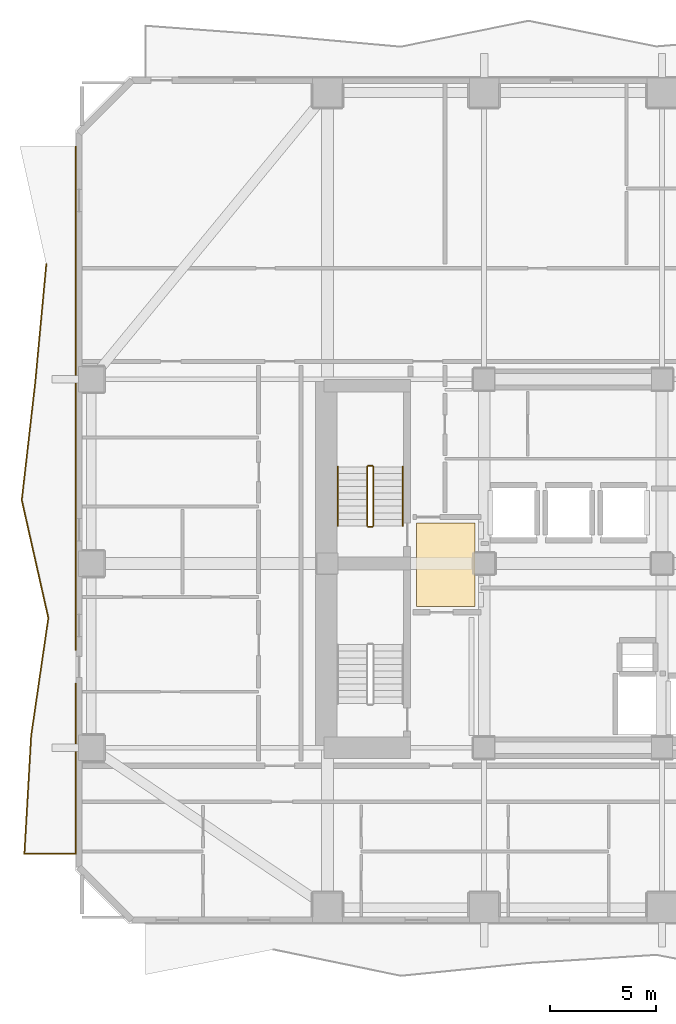
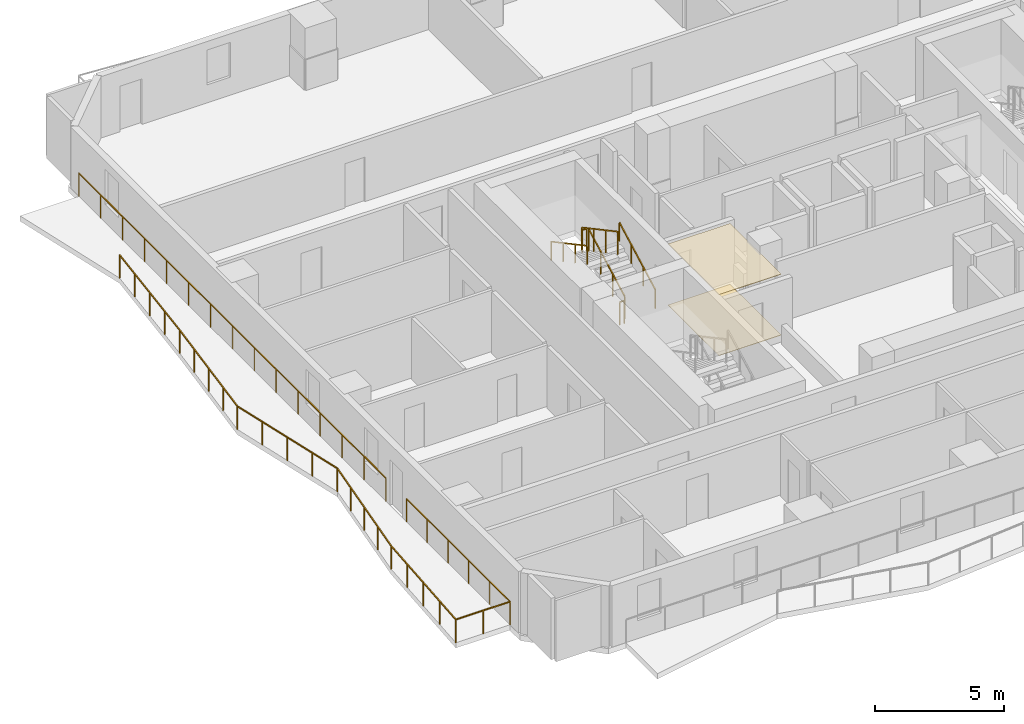
# One storey, part 8 of 10: 8 railings, 2 coverings.
"""IFC4 building model written with IfcOpenShell, lengths in metres."""

from ifc_helpers import new_model, si_unit, direction, frame, origin, origin_2d, place, context, subcontext, project, spatial, polyline, rectangle, outline, extrude, material, layer, layer_set, type_object, element, save


model = new_model("IFC4")

# Units and contexts
model_context = context("Model", 3, precision=1e-05, world=origin(), true_north=direction((0.0, 1.0)))
body_context = subcontext(model_context, "Body", "Model", "MODEL_VIEW")
ifc_project = project(units=[si_unit("LENGTHUNIT", "METRE"), si_unit("AREAUNIT", "SQUARE_METRE"), si_unit("VOLUMEUNIT", "CUBIC_METRE"), si_unit("PLANEANGLEUNIT", "RADIAN"), si_unit("MASSUNIT", "GRAM", prefix="KILO")], contexts=[model_context])

# Site, building, storey
site_placement = place(None, origin())
site = spatial("IfcSite", under=ifc_project, at=site_placement, CompositionType="ELEMENT")
building_placement = place(site_placement, origin())
building = spatial("IfcBuilding", under=site, at=building_placement, Name="Solanera Arch Residences", CompositionType="ELEMENT")
storey_placement = place(building_placement, frame((0.0, 0.0, 102.760009765625)))
storey = spatial("IfcBuildingStorey", under=building, at=storey_placement, Name="L29", CompositionType="ELEMENT", Elevation=102.760009765625)

# Railings
ifc_material_1 = material(Name="Steel S355 (ASTM A992 / A572 Grade 50)", Category="steel")
railing_type_1 = type_object("IfcRailingType", Name="Balustrade Railing BL-1100", PredefinedType="BALUSTRADE", material=ifc_material_1)
railing_1_placement = place(storey_placement, frame((0.117919921875, 44.8330078125, 0.0)))
element("IfcRailing", 1, at=railing_1_placement, inside=storey, type_object=railing_type_1, Name="L29 W Balcony Balustrade 1", PredefinedType="BALUSTRADE", context=body_context, shape_type="SweptSolid", body=[
    extrude(rectangle(XDim=0.048095703125, YDim=0.048095703125, at=origin_2d()), frame((0.0, 0.0, 1.09619140625), z_axis=(-0.093197302673, -0.995647659955, 0.0), x_axis=(0.995647659955, -0.093197302673, 0.0)), (0.0, 0.0, 1.0), 5.59033203125),
    extrude(rectangle(XDim=0.048095703125, YDim=0.048095703125, at=origin_2d()), frame((-0.52099609375, -5.56591796875, 1.09619140625), z_axis=(-0.113673156319, -0.9935181999, 0.0), x_axis=(0.9935181999, -0.113673156319, 0.0)), (0.0, 0.0, 1.0), 5.603515625),
    extrude(rectangle(XDim=0.048095703125, YDim=0.048095703125, at=origin_2d()), frame((-1.157958984375, -11.133056640625, 1.09619140625), z_axis=(0.220104614642, -0.975476272706, 0.0), x_axis=(0.975476272706, 0.220104614642, 0.0)), (0.0, 0.0, 1.0), 5.706787109375),
    extrude(rectangle(XDim=0.048095703125, YDim=0.048095703125, at=origin_2d()), frame((0.09814453125, -16.699951171875, 1.09619140625), z_axis=(-0.144525573408, -0.989501065503, 0.0), x_axis=(0.989501065503, -0.144525573408, 0.0)), (0.0, 0.0, 1.0), 5.625244140625),
    extrude(rectangle(XDim=0.048095703125, YDim=0.048095703125, at=origin_2d()), frame((-0.71484375, -22.26611328125, 1.09619140625), z_axis=(-0.057051037449, -0.998371263171, 0.0), x_axis=(0.998371263171, -0.057051037449, 0.0)), (0.0, 0.0, 1.0), 5.575927734375),
    extrude(rectangle(XDim=0.048095703125, YDim=0.048095703125, at=origin_2d()), frame((-1.032958984375, -27.8330078125, 1.09619140625), z_axis=(1.0, 0.0, 0.0), x_axis=(0.0, 1.0, 0.0)), (0.0, 0.0, 1.0), 2.43505859375),
    extrude(rectangle(XDim=0.048095703125, YDim=0.048095703125, at=origin_2d()), frame((1.402099609375, -27.8330078125, 1.09619140625), z_axis=(0.0, 1.0, 0.0), x_axis=(-1.0, 0.0, 0.0)), (0.0, 0.0, 1.0), 8.02001953125),
    extrude(rectangle(XDim=0.0419921875, YDim=0.0419921875, at=origin_2d()), origin(), (0.0, 0.0, 1.0), 1.072021484375),
    extrude(rectangle(XDim=0.0419921875, YDim=0.0419921875, at=origin_2d()), frame((-0.13037109375, -1.3916015625, 0.0)), (0.0, 0.0, 1.0), 1.072021484375),
    extrude(rectangle(XDim=0.0419921875, YDim=0.0419921875, at=origin_2d()), frame((-0.260498046875, -2.782958984375, 0.0)), (0.0, 0.0, 1.0), 1.072021484375),
    extrude(rectangle(XDim=0.0419921875, YDim=0.0419921875, at=origin_2d()), frame((-0.390625, -4.17431640625, 0.0)), (0.0, 0.0, 1.0), 1.072021484375),
    extrude(rectangle(XDim=0.0419921875, YDim=0.0419921875, at=origin_2d()), frame((-0.52099609375, -5.56591796875, 0.0)), (0.0, 0.0, 1.0), 1.072021484375),
    extrude(rectangle(XDim=0.0419921875, YDim=0.0419921875, at=origin_2d()), frame((-0.68017578125, -6.957763671875, 0.0)), (0.0, 0.0, 1.0), 1.072021484375),
    extrude(rectangle(XDim=0.0419921875, YDim=0.0419921875, at=origin_2d()), frame((-0.83935546875, -8.349609375, 0.0)), (0.0, 0.0, 1.0), 1.072021484375),
    extrude(rectangle(XDim=0.0419921875, YDim=0.0419921875, at=origin_2d()), frame((-0.998779296875, -9.7412109375, 0.0)), (0.0, 0.0, 1.0), 1.072021484375),
    extrude(rectangle(XDim=0.0419921875, YDim=0.0419921875, at=origin_2d()), frame((-1.157958984375, -11.133056640625, 0.0)), (0.0, 0.0, 1.0), 1.072021484375),
    extrude(rectangle(XDim=0.0419921875, YDim=0.0419921875, at=origin_2d()), frame((-0.843994140625, -12.52490234375, 0.0)), (0.0, 0.0, 1.0), 1.072021484375),
    extrude(rectangle(XDim=0.0419921875, YDim=0.0419921875, at=origin_2d()), frame((-0.52978515625, -13.91650390625, 0.0)), (0.0, 0.0, 1.0), 1.072021484375),
    extrude(rectangle(XDim=0.0419921875, YDim=0.0419921875, at=origin_2d()), frame((-0.2158203125, -15.30810546875, 0.0)), (0.0, 0.0, 1.0), 1.072021484375),
    extrude(rectangle(XDim=0.0419921875, YDim=0.0419921875, at=origin_2d()), frame((0.09814453125, -16.699951171875, 0.0)), (0.0, 0.0, 1.0), 1.072021484375),
    extrude(rectangle(XDim=0.0419921875, YDim=0.0419921875, at=origin_2d()), frame((-0.10498046875, -18.091552734375, 0.0)), (0.0, 0.0, 1.0), 1.072021484375),
    extrude(rectangle(XDim=0.0419921875, YDim=0.0419921875, at=origin_2d()), frame((-0.308349609375, -19.48291015625, 0.0)), (0.0, 0.0, 1.0), 1.072021484375),
    extrude(rectangle(XDim=0.0419921875, YDim=0.0419921875, at=origin_2d()), frame((-0.51171875, -20.87451171875, 0.0)), (0.0, 0.0, 1.0), 1.072021484375),
    extrude(rectangle(XDim=0.0419921875, YDim=0.0419921875, at=origin_2d()), frame((-0.71484375, -22.26611328125, 0.0)), (0.0, 0.0, 1.0), 1.072021484375),
    extrude(rectangle(XDim=0.0419921875, YDim=0.0419921875, at=origin_2d()), frame((-0.79443359375, -23.65771484375, 0.0)), (0.0, 0.0, 1.0), 1.072021484375),
    extrude(rectangle(XDim=0.0419921875, YDim=0.0419921875, at=origin_2d()), frame((-0.8740234375, -25.049560546875, 0.0)), (0.0, 0.0, 1.0), 1.072021484375),
    extrude(rectangle(XDim=0.0419921875, YDim=0.0419921875, at=origin_2d()), frame((-0.953369140625, -26.44140625, 0.0)), (0.0, 0.0, 1.0), 1.072021484375),
    extrude(rectangle(XDim=0.0419921875, YDim=0.0419921875, at=origin_2d()), frame((-1.032958984375, -27.8330078125, 0.0)), (0.0, 0.0, 1.0), 1.072021484375),
    extrude(rectangle(XDim=0.0419921875, YDim=0.0419921875, at=origin_2d()), frame((0.1845703125, -27.8330078125, 0.0)), (0.0, 0.0, 1.0), 1.072021484375),
    extrude(rectangle(XDim=0.0419921875, YDim=0.0419921875, at=origin_2d()), frame((1.402099609375, -27.8330078125, 0.0)), (0.0, 0.0, 1.0), 1.072021484375),
    extrude(rectangle(XDim=0.0419921875, YDim=0.0419921875, at=origin_2d()), frame((1.402099609375, -26.22900390625, 0.0)), (0.0, 0.0, 1.0), 1.072021484375),
    extrude(rectangle(XDim=0.0419921875, YDim=0.0419921875, at=origin_2d()), frame((1.402099609375, -24.625, 0.0)), (0.0, 0.0, 1.0), 1.072021484375),
    extrude(rectangle(XDim=0.0419921875, YDim=0.0419921875, at=origin_2d()), frame((1.402099609375, -23.02099609375, 0.0)), (0.0, 0.0, 1.0), 1.072021484375),
    extrude(rectangle(XDim=0.0419921875, YDim=0.0419921875, at=origin_2d()), frame((1.402099609375, -21.4169921875, 0.0)), (0.0, 0.0, 1.0), 1.072021484375),
    extrude(rectangle(XDim=0.0419921875, YDim=0.0419921875, at=origin_2d()), frame((1.402099609375, -19.81298828125, 0.0)), (0.0, 0.0, 1.0), 1.072021484375),
])
railing_2_placement = place(storey_placement, frame((1.52001953125, 26.6201171875, 0.0)))
element("IfcRailing", 2, at=railing_2_placement, inside=storey, type_object=railing_type_1, Name="L29 W Balcony Balustrade 2", PredefinedType="BALUSTRADE", context=body_context, shape_type="SweptSolid", body=[
    extrude(rectangle(XDim=0.048095703125, YDim=0.048095703125, at=origin_2d()), frame((0.0, 0.0, 1.09619140625), z_axis=(0.0, 1.0, 0.0), x_axis=(-1.0, 0.0, 0.0)), (0.0, 0.0, 1.0), 23.77978515625),
    extrude(rectangle(XDim=0.0419921875, YDim=0.0419921875, at=origin_2d()), origin(), (0.0, 0.0, 1.0), 1.072021484375),
    extrude(rectangle(XDim=0.0419921875, YDim=0.0419921875, at=origin_2d()), frame((0.0, 1.698486328125, 0.0)), (0.0, 0.0, 1.0), 1.072021484375),
    extrude(rectangle(XDim=0.0419921875, YDim=0.0419921875, at=origin_2d()), frame((0.0, 3.397216796875, 0.0)), (0.0, 0.0, 1.0), 1.072021484375),
    extrude(rectangle(XDim=0.0419921875, YDim=0.0419921875, at=origin_2d()), frame((0.0, 5.095703125, 0.0)), (0.0, 0.0, 1.0), 1.072021484375),
    extrude(rectangle(XDim=0.0419921875, YDim=0.0419921875, at=origin_2d()), frame((0.0, 6.794189453125, 0.0)), (0.0, 0.0, 1.0), 1.072021484375),
    extrude(rectangle(XDim=0.0419921875, YDim=0.0419921875, at=origin_2d()), frame((0.0, 8.49267578125, 0.0)), (0.0, 0.0, 1.0), 1.072021484375),
    extrude(rectangle(XDim=0.0419921875, YDim=0.0419921875, at=origin_2d()), frame((0.0, 10.19140625, 0.0)), (0.0, 0.0, 1.0), 1.072021484375),
    extrude(rectangle(XDim=0.0419921875, YDim=0.0419921875, at=origin_2d()), frame((0.0, 11.889892578125, 0.0)), (0.0, 0.0, 1.0), 1.072021484375),
    extrude(rectangle(XDim=0.0419921875, YDim=0.0419921875, at=origin_2d()), frame((0.0, 13.58837890625, 0.0)), (0.0, 0.0, 1.0), 1.072021484375),
    extrude(rectangle(XDim=0.0419921875, YDim=0.0419921875, at=origin_2d()), frame((0.0, 15.287109375, 0.0)), (0.0, 0.0, 1.0), 1.072021484375),
    extrude(rectangle(XDim=0.0419921875, YDim=0.0419921875, at=origin_2d()), frame((0.0, 16.985595703125, 0.0)), (0.0, 0.0, 1.0), 1.072021484375),
    extrude(rectangle(XDim=0.0419921875, YDim=0.0419921875, at=origin_2d()), frame((0.0, 18.68408203125, 0.0)), (0.0, 0.0, 1.0), 1.072021484375),
    extrude(rectangle(XDim=0.0419921875, YDim=0.0419921875, at=origin_2d()), frame((0.0, 20.382568359375, 0.0)), (0.0, 0.0, 1.0), 1.072021484375),
    extrude(rectangle(XDim=0.0419921875, YDim=0.0419921875, at=origin_2d()), frame((0.0, 22.081298828125, 0.0)), (0.0, 0.0, 1.0), 1.072021484375),
    extrude(rectangle(XDim=0.0419921875, YDim=0.0419921875, at=origin_2d()), frame((0.0, 23.77978515625, 0.0)), (0.0, 0.0, 1.0), 1.072021484375),
])

# Covering
ifc_material_2 = material(Name="Porcelain Acoustic Floor Tile", Category="ceramic")
ifc_layer_1 = layer(ifc_material_2, 0.02001953125)
ifc_layer_set_1 = layer_set([ifc_layer_1], Name="Porcelain Acoustic Floor Tile")
covering_type_1 = type_object("IfcCoveringType", Name="Porcelain Acoustic Floor Finish FLR-20", PredefinedType="FLOORING", material=ifc_layer_set_1)
covering_1_placement = place(storey_placement, origin())
element("IfcCovering", 3, at=covering_1_placement, inside=storey, type_object=covering_type_1, Name="L29-FFL-W Porcelain Floor Finish", PredefinedType="FLOORING", context=body_context, shape_type="SweptSolid", body=[
    extrude(outline(polyline([(20.375, 28.675048828125), (17.594970703125, 28.675048828125), (17.594970703125, 32.625), (20.375, 32.625), (20.375, 28.675048828125)])), origin(), (0.0, 0.0, 1.0), 0.02001953125),
])

# Railings
ifc_material_3 = material(Name="Steel S355 (ASTM A992 / A572 Grade 50)", Category="steel")
railing_type_2 = type_object("IfcRailingType", Name="Stair Guardrail GR-1100", PredefinedType="GUARDRAIL", material=ifc_material_3)
railing_3_placement = place(storey_placement, frame((15.570068359375, 32.47998046875, 0.15087890625)))
element("IfcRailing", 4, at=railing_3_placement, inside=storey, type_object=railing_type_2, Name="L29 ST-T1 stair guard 1", PredefinedType="GUARDRAIL", context=body_context, shape_type="SweptSolid", body=[
    extrude(rectangle(XDim=0.048095703125, YDim=0.048095703125, at=origin_2d()), frame((0.0, 0.0, 1.076171875), z_axis=(0.0, 0.881548766853, 0.472092969298), x_axis=(-1.0, 0.0, 0.0)), (0.0, 0.0, 1.0), 3.1650390625),
    extrude(rectangle(XDim=0.0419921875, YDim=0.0419921875, at=origin_2d()), origin(), (0.0, 0.0, 1.0), 1.052001953125),
    extrude(rectangle(XDim=0.0419921875, YDim=0.0419921875, at=origin_2d()), frame((0.0, 0.929931640625, 0.498046875)), (0.0, 0.0, 1.0), 1.052001953125),
    extrude(rectangle(XDim=0.0419921875, YDim=0.0419921875, at=origin_2d()), frame((0.0, 1.860107421875, 0.99609375)), (0.0, 0.0, 1.0), 1.052001953125),
    extrude(rectangle(XDim=0.0419921875, YDim=0.0419921875, at=origin_2d()), frame((0.0, 2.7900390625, 1.494140625)), (0.0, 0.0, 1.0), 1.052001953125),
])
railing_4_placement = place(storey_placement, frame((15.52001953125, 35.320068359375, 1.64501953125)))
element("IfcRailing", 5, at=railing_4_placement, inside=storey, type_object=railing_type_2, Name="L29 ST-T1 stair guard 2", PredefinedType="GUARDRAIL", context=body_context, shape_type="SweptSolid", body=[
    extrude(rectangle(XDim=0.048095703125, YDim=0.048095703125, at=origin_2d()), frame((0.0, 0.0, 1.076171875), z_axis=(-1.0, 0.0, 0.0), x_axis=(0.0, -1.0, 0.0)), (0.0, 0.0, 1.0), 0.199951171875),
    extrude(rectangle(XDim=0.0419921875, YDim=0.0419921875, at=origin_2d()), origin(), (0.0, 0.0, 1.0), 1.052001953125),
    extrude(rectangle(XDim=0.0419921875, YDim=0.0419921875, at=origin_2d()), frame((-0.199951171875, 0.0, 0.0)), (0.0, 0.0, 1.0), 1.052001953125),
])
railing_5_placement = place(storey_placement, frame((15.27001953125, 35.27001953125, 1.81103515625)))
element("IfcRailing", 6, at=railing_5_placement, inside=storey, type_object=railing_type_2, Name="L29 ST-T1 stair guard 3", PredefinedType="GUARDRAIL", context=body_context, shape_type="SweptSolid", body=[
    extrude(rectangle(XDim=0.048095703125, YDim=0.048095703125, at=origin_2d()), frame((0.0, 0.0, 1.076171875), z_axis=(0.0, -0.881580869306, 0.472033018838), x_axis=(1.0, 0.0, 0.0)), (0.0, 0.0, 1.0), 3.164794921875),
    extrude(rectangle(XDim=0.0419921875, YDim=0.0419921875, at=origin_2d()), origin(), (0.0, 0.0, 1.0), 1.052001953125),
    extrude(rectangle(XDim=0.0419921875, YDim=0.0419921875, at=origin_2d()), frame((0.0, -0.929931640625, 0.498046875)), (0.0, 0.0, 1.0), 1.052001953125),
    extrude(rectangle(XDim=0.0419921875, YDim=0.0419921875, at=origin_2d()), frame((0.0, -1.860107421875, 0.995849609375)), (0.0, 0.0, 1.0), 1.052001953125),
    extrude(rectangle(XDim=0.0419921875, YDim=0.0419921875, at=origin_2d()), frame((0.0, -2.7900390625, 1.493896484375)), (0.0, 0.0, 1.0), 1.052001953125),
])
railing_6_placement = place(storey_placement, frame((15.52001953125, 32.429931640625, -0.014892578125)))
element("IfcRailing", 7, at=railing_6_placement, inside=storey, type_object=railing_type_2, Name="L29 ST-T1 stair guard 4", PredefinedType="GUARDRAIL", context=body_context, shape_type="SweptSolid", body=[
    extrude(rectangle(XDim=0.048095703125, YDim=0.048095703125, at=origin_2d()), frame((0.0, 0.0, 1.076171875), z_axis=(-1.0, 0.0, 0.0), x_axis=(0.0, -1.0, 0.0)), (0.0, 0.0, 1.0), 0.199951171875),
    extrude(rectangle(XDim=0.0419921875, YDim=0.0419921875, at=origin_2d()), origin(), (0.0, 0.0, 1.0), 1.052001953125),
    extrude(rectangle(XDim=0.0419921875, YDim=0.0419921875, at=origin_2d()), frame((-0.199951171875, 0.0, 0.0)), (0.0, 0.0, 1.0), 1.052001953125),
])
ifc_material_4 = material(Name="Steel S355 (ASTM A992 / A572 Grade 50)", Category="steel")
railing_type_3 = type_object("IfcRailingType", Name="Stair Wall Handrail HR-920", PredefinedType="HANDRAIL", material=ifc_material_4)
railing_7_placement = place(storey_placement, frame((16.949951171875, 32.47998046875, 0.166015625)))
element("IfcRailing", 8, at=railing_7_placement, inside=storey, type_object=railing_type_3, Name="L29 ST-T1 stair handrail 1", PredefinedType="HANDRAIL", context=body_context, shape_type="SweptSolid", body=[
    extrude(rectangle(XDim=0.048095703125, YDim=0.048095703125, at=origin_2d()), frame((0.0, 0.0, 0.8759765625), z_axis=(0.0, 0.881580869306, 0.472033018838), x_axis=(-1.0, 0.0, 0.0)), (0.0, 0.0, 1.0), 3.164794921875),
    extrude(rectangle(XDim=0.0419921875, YDim=0.0419921875, at=origin_2d()), origin(), (0.0, 0.0, 1.0), 0.851806640625),
    extrude(rectangle(XDim=0.0419921875, YDim=0.0419921875, at=origin_2d()), frame((0.0, 0.929931640625, 0.498046875)), (0.0, 0.0, 1.0), 0.851806640625),
    extrude(rectangle(XDim=0.0419921875, YDim=0.0419921875, at=origin_2d()), frame((0.0, 1.860107421875, 0.995849609375)), (0.0, 0.0, 1.0), 0.851806640625),
    extrude(rectangle(XDim=0.0419921875, YDim=0.0419921875, at=origin_2d()), frame((0.0, 2.7900390625, 1.493896484375)), (0.0, 0.0, 1.0), 0.851806640625),
])
railing_8_placement = place(storey_placement, frame((13.889892578125, 35.27001953125, 1.825927734375)))
element("IfcRailing", 9, at=railing_8_placement, inside=storey, type_object=railing_type_3, Name="L29 ST-T1 stair handrail 2", PredefinedType="HANDRAIL", context=body_context, shape_type="SweptSolid", body=[
    extrude(rectangle(XDim=0.048095703125, YDim=0.048095703125, at=origin_2d()), frame((0.0, 0.0, 0.8759765625), z_axis=(0.0, -0.881548766853, 0.472092969298), x_axis=(1.0, 0.0, 0.0)), (0.0, 0.0, 1.0), 3.1650390625),
    extrude(rectangle(XDim=0.0419921875, YDim=0.0419921875, at=origin_2d()), origin(), (0.0, 0.0, 1.0), 0.851806640625),
    extrude(rectangle(XDim=0.0419921875, YDim=0.0419921875, at=origin_2d()), frame((0.0, -0.929931640625, 0.498046875)), (0.0, 0.0, 1.0), 0.851806640625),
    extrude(rectangle(XDim=0.0419921875, YDim=0.0419921875, at=origin_2d()), frame((0.0, -1.860107421875, 0.99609375)), (0.0, 0.0, 1.0), 0.851806640625),
    extrude(rectangle(XDim=0.0419921875, YDim=0.0419921875, at=origin_2d()), frame((0.0, -2.7900390625, 1.494140625)), (0.0, 0.0, 1.0), 0.851806640625),
])

# Covering
ifc_material_5 = material(Name="Mineral Fibre Acoustic Ceiling Board", Category="gypsum")
ifc_layer_2 = layer(ifc_material_5, 0.02490234375)
ifc_layer_set_2 = layer_set([ifc_layer_2], Name="Mineral Fibre Acoustic Ceiling Board")
covering_type_2 = type_object("IfcCoveringType", Name="Suspended Acoustic Ceiling Board CLG-25", PredefinedType="CEILING", material=ifc_layer_set_2)
covering_2_placement = place(storey_placement, frame((0.0, 0.0, 2.875)))
element("IfcCovering", 10, at=covering_2_placement, inside=storey, type_object=covering_type_2, Name="L29-FFL-W Acoustic Ceiling", PredefinedType="CEILING", context=body_context, shape_type="SweptSolid", body=[
    extrude(outline(polyline([(20.375, 28.675048828125), (17.594970703125, 28.675048828125), (17.594970703125, 32.625), (20.375, 32.625), (20.375, 28.675048828125)])), origin(), (0.0, 0.0, 1.0), 0.02490234375),
])

save(model, "model.ifc")
